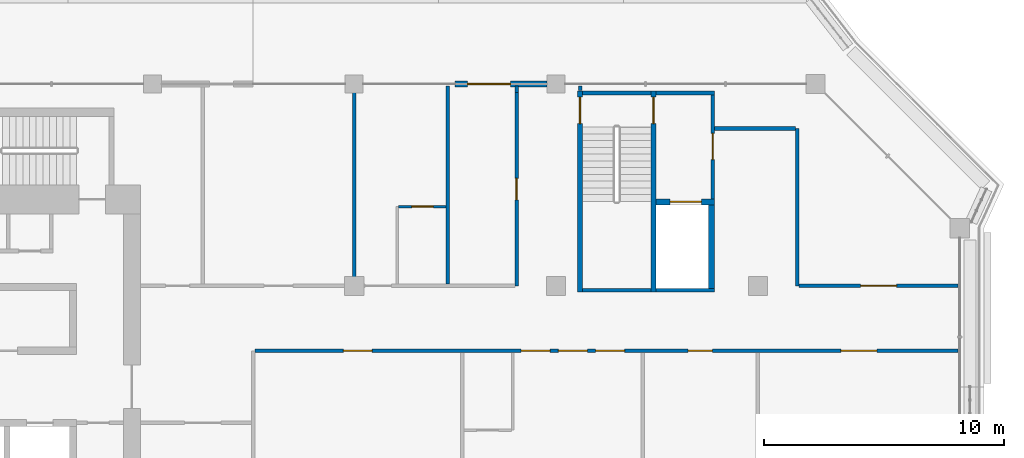
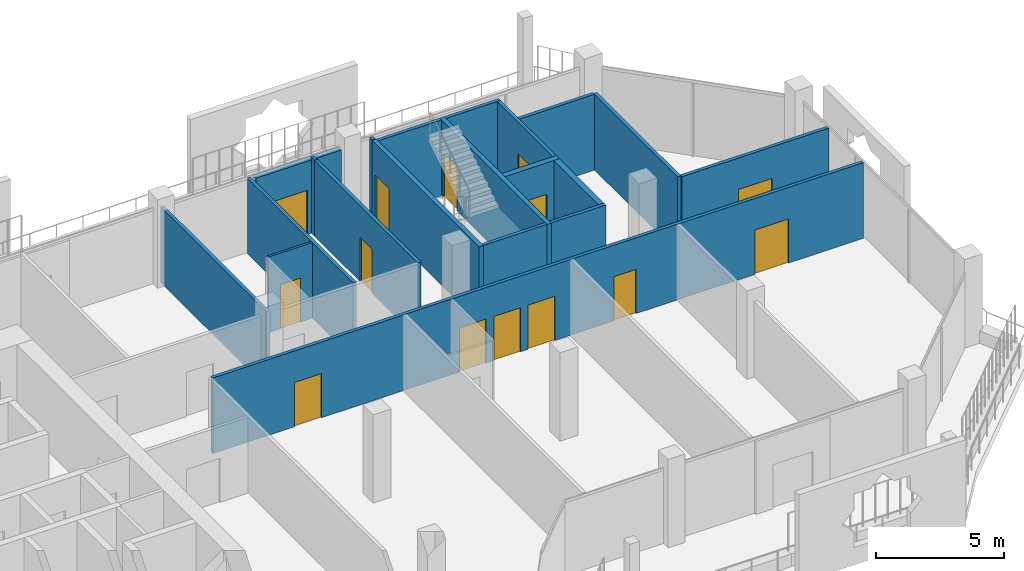
# One storey, part 13 of 21: 20 walls, 14 doors, 14 openings.
"""IFC4 building model written with IfcOpenShell, lengths in metres."""

from ifc_helpers import new_model, si_unit, direction, frame, frame_2d, origin, place, context, subcontext, project, spatial, rectangle, extrude, material, layer, layer_set, type_object, element, fill, save


model = new_model("IFC4")

# Units and contexts
model_context = context("Model", 3, precision=1e-05, world=origin(), true_north=direction((0.0, 1.0)))
body_context = subcontext(model_context, "Body", "Model", "MODEL_VIEW")
ifc_project = project(units=[si_unit("LENGTHUNIT", "METRE"), si_unit("AREAUNIT", "SQUARE_METRE"), si_unit("VOLUMEUNIT", "CUBIC_METRE"), si_unit("PLANEANGLEUNIT", "RADIAN"), si_unit("MASSUNIT", "GRAM", prefix="KILO")], contexts=[model_context])

# Site, building, storey
site_placement = place(None, origin())
site = spatial("IfcSite", under=ifc_project, at=site_placement, CompositionType="ELEMENT")
building_placement = place(site_placement, origin())
building = spatial("IfcBuilding", under=site, at=building_placement, Name="Kawkab Arch Medical Tower", CompositionType="ELEMENT")
storey_placement = place(building_placement, frame((0.0, 0.0, 323.800048828125)))
storey = spatial("IfcBuildingStorey", under=building, at=storey_placement, Name="L75", CompositionType="ELEMENT", Elevation=323.800048828125)

# Wall, opening, door
ifc_material_1 = material(Name="Gypsum board on steel studs", Category="steel")
ifc_layer_1 = layer(ifc_material_1, 0.14990234375)
ifc_layer_set_1 = layer_set([ifc_layer_1], Name="Gypsum board on steel studs")
wall_type_1 = type_object("IfcWallType", Name="Core room partition 150", PredefinedType="PARTITIONING", material=ifc_layer_set_1)
wall_1_placement = place(storey_placement, frame((48.52490234375, -4.77490234375, 0.0), z_axis=(0.0, 0.0, 1.0), x_axis=(0.0, 1.0, 0.0)))
wall_1 = element("IfcWall", 1, at=wall_1_placement, inside=storey, type_object=wall_type_1, Name="L75 core room partition", PredefinedType="PARTITIONING", context=body_context, shape_type="SweptSolid", body=[
    extrude(rectangle(XDim=4.324951171875, YDim=0.14990234375, at=frame_2d((2.16259765625, 0.0))), origin(), (0.0, 0.0, 1.0), 3.599853515625),
])
opening_1_placement = place(wall_1_placement, frame((1.625, 0.0, 0.0)))
opening_1 = element("IfcOpeningElement", 2, at=opening_1_placement, cuts=wall_1, Name="Opening FD", PredefinedType="OPENING", context=body_context, shape_type="SweptSolid", body=[
    extrude(rectangle(XDim=1.10009765625, YDim=2.10009765625, at=frame_2d((0.550048828125, 1.050048828125))), frame((0.0, 0.0849609375, 0.0), z_axis=(0.0, -1.0, 0.0), x_axis=(1.0, 0.0, 0.0)), (0.0, 0.0, 1.0), 0.169921875),
])
ifc_material_2 = material(Name="Hollow metal fire door leaf")
door_type_1 = type_object("IfcDoorType", Name="Firefighting lobby door 1100", OperationType="SINGLE_SWING_LEFT", PredefinedType="DOOR", material=ifc_material_2)
door_1_placement = place(opening_1_placement, origin())
door_1 = element("IfcDoor", 3, at=door_1_placement, inside=storey, type_object=door_type_1, Name="L75 Service lift lobby door SV1", OperationType="SINGLE_SWING_LEFT", OverallHeight=2.10009765625, OverallWidth=1.10009765625, PredefinedType="DOOR", context=body_context, shape_type="SweptSolid", body=[
    extrude(rectangle(XDim=1.10009765625, YDim=2.10009765625, at=frame_2d((0.550048828125, 1.050048828125))), frame((0.0, 0.02490234375, 0.0), z_axis=(0.0, -1.0, 0.0), x_axis=(1.0, 0.0, 0.0)), (0.0, 0.0, 1.0), 0.050048828125),
])
fill(opening_1, door_1)

ifc_material_3 = material(Name="Concrete C60/75", Category="concrete")
ifc_layer_2 = layer(ifc_material_3, 0.25)
ifc_layer_set_2 = layer_set([ifc_layer_2], Name="Concrete C60/75")
wall_type_2 = type_object("IfcWallType", Name="Core shear wall 250 C60/75", PredefinedType="SHEAR", material=ifc_layer_set_2)
wall_2_placement = place(storey_placement, frame((46.14990234375, -4.89990234375, 0.0), z_axis=(0.0, 0.0, 1.0), x_axis=(1.0, 0.0, 0.0)))
wall_2 = element("IfcWall", 4, at=wall_2_placement, inside=storey, type_object=wall_type_2, Name="L75 core shear wall", PredefinedType="SHEAR", context=body_context, shape_type="SweptSolid", body=[
    extrude(rectangle(XDim=2.4501953125, YDim=0.25, at=frame_2d((1.22509765625, 0.0))), origin(), (0.0, 0.0, 1.0), 3.599853515625),
])
opening_2_placement = place(wall_2_placement, frame((0.60009765625, 0.0, 0.0)))
opening_2 = element("IfcOpeningElement", 5, at=opening_2_placement, cuts=wall_2, Name="Opening LD2", PredefinedType="OPENING", context=body_context, shape_type="SweptSolid", body=[
    extrude(rectangle(XDim=1.300048828125, YDim=2.10009765625, at=frame_2d((0.64990234375, 1.050048828125))), frame((0.0, 0.135009765625, 0.0), z_axis=(0.0, -1.0, 0.0), x_axis=(1.0, 0.0, 0.0)), (0.0, 0.0, 1.0), 0.27001953125),
])
ifc_material_4 = material(Name="Stainless steel lift door leaf", Category="steel")
door_type_2 = type_object("IfcDoorType", Name="Lift landing door 1300", OperationType="DOUBLE_DOOR_SLIDING", PredefinedType="DOOR", material=ifc_material_4)
door_2_placement = place(opening_2_placement, origin())
door_2 = element("IfcDoor", 6, at=door_2_placement, inside=storey, type_object=door_type_2, Name="L75 Lift landing door SV1", OperationType="DOUBLE_DOOR_SLIDING", OverallHeight=2.10009765625, OverallWidth=1.300048828125, PredefinedType="DOOR", context=body_context, shape_type="SweptSolid", body=[
    extrude(rectangle(XDim=1.300048828125, YDim=2.10009765625, at=frame_2d((0.64990234375, 1.050048828125))), frame((0.0, 0.02490234375, 0.0), z_axis=(0.0, -1.0, 0.0), x_axis=(1.0, 0.0, 0.0)), (0.0, 0.0, 1.0), 0.050048828125),
])
fill(opening_2, door_2)

# Wall
wall_3_placement = place(storey_placement, frame((48.47509765625, -8.5, 0.0), z_axis=(0.0, 0.0, 1.0), x_axis=(0.0, 1.0, 0.0)))
element("IfcWall", 7, at=wall_3_placement, inside=storey, type_object=wall_type_2, Name="L75 core shear wall", PredefinedType="SHEAR", context=body_context, shape_type="SweptSolid", body=[
    extrude(rectangle(XDim=3.47509765625, YDim=0.25, at=frame_2d((1.737548828125, 0.0))), origin(), (0.0, 0.0, 1.0), 3.599853515625),
])

# Wall, opening, door
ifc_material_5 = material(Name="Bronze clad insulated wall panel")
ifc_layer_3 = layer(ifc_material_5, 0.25)
ifc_layer_set_3 = layer_set([ifc_layer_3], Name="Bronze clad insulated wall panel")
wall_type_3 = type_object("IfcWallType", Name="External wall bay 250", PredefinedType="SOLIDWALL", material=ifc_layer_set_3)
wall_4_placement = place(storey_placement, frame((41.625, 0.0, 0.0), z_axis=(0.0, 0.0, 1.0), x_axis=(-1.0, 0.0, 0.0)))
wall_4 = element("IfcWall", 8, at=wall_4_placement, inside=storey, type_object=wall_type_3, Name="External wall bay L75.R15.2.1", PredefinedType="SOLIDWALL", context=body_context, shape_type="SweptSolid", body=[
    extrude(rectangle(XDim=3.824951171875, YDim=0.25, at=frame_2d((1.91259765625, 0.0))), origin(), (0.0, 0.0, 1.0), 3.47998046875),
])
opening_3_placement = place(wall_4_placement, frame((1.512451171875, 0.0, 0.0)))
opening_3 = element("IfcOpeningElement", 9, at=opening_3_placement, cuts=wall_4, Name="Opening W70-701", PredefinedType="OPENING", context=body_context, shape_type="SweptSolid", body=[
    extrude(rectangle(XDim=1.800048828125, YDim=2.10009765625, at=frame_2d((0.89990234375, 1.050048828125))), frame((0.0, 0.135009765625, 0.0), z_axis=(0.0, -1.0, 0.0), x_axis=(1.0, 0.0, 0.0)), (0.0, 0.0, 1.0), 0.27001953125),
])
ifc_material_6 = material(Name="Bronze anodised aluminium door with tinted glass", Category="aluminium")
door_type_3 = type_object("IfcDoorType", Name="Double external door 1800 x 2100", OperationType="DOUBLE_DOOR_SINGLE_SWING", PredefinedType="DOOR", material=ifc_material_6)
door_3_placement = place(opening_3_placement, origin())
door_3 = element("IfcDoor", 10, at=door_3_placement, inside=storey, type_object=door_type_3, Name="External door L75.R15.2.1", OperationType="DOUBLE_DOOR_SINGLE_SWING", OverallHeight=2.10009765625, OverallWidth=1.800048828125, PredefinedType="DOOR", context=body_context, shape_type="SweptSolid", body=[
    extrude(rectangle(XDim=1.800048828125, YDim=2.10009765625, at=frame_2d((0.89990234375, 1.050048828125))), frame((0.0, 0.02490234375, 0.0), z_axis=(0.0, -1.0, 0.0), x_axis=(1.0, 0.0, 0.0)), (0.0, 0.0, 1.0), 0.050048828125),
])
fill(opening_3, door_3)

ifc_material_7 = material(Name="Gypsum board partition on steel studs", Category="steel")
ifc_layer_4 = layer(ifc_material_7, 0.10009765625)
ifc_layer_set_4 = layer_set([ifc_layer_4], Name="Gypsum board partition on steel studs")
wall_type_4 = type_object("IfcWallType", Name="Partition 100", PredefinedType="PARTITIONING", material=ifc_layer_set_4)
wall_5_placement = place(storey_placement, frame((35.449951171875, -5.10009765625, 0.0), z_axis=(0.0, 0.0, 1.0), x_axis=(1.0, 0.0, 0.0)))
wall_5 = element("IfcWall", 11, at=wall_5_placement, inside=storey, type_object=wall_type_4, Name="Partition 100 w002", PredefinedType="PARTITIONING", context=body_context, shape_type="SweptSolid", body=[
    extrude(rectangle(XDim=1.97509765625, YDim=0.10009765625, at=frame_2d((0.987548828125, 0.0))), origin(), (0.0, 0.0, 1.0), 3.599853515625),
])
opening_4_placement = place(wall_5_placement, frame((0.550048828125, 0.0, 0.0)))
opening_4 = element("IfcOpeningElement", 12, at=opening_4_placement, cuts=wall_5, Name="Opening W70-004", PredefinedType="OPENING", context=body_context, shape_type="SweptSolid", body=[
    extrude(rectangle(XDim=0.89990234375, YDim=2.10009765625, at=frame_2d((0.449951171875, 1.050048828125))), frame((0.0, 0.06005859375, 0.0), z_axis=(0.0, -1.0, 0.0), x_axis=(1.0, 0.0, 0.0)), (0.0, 0.0, 1.0), 0.1201171875),
])
ifc_material_8 = material(Name="Timber door leaf", Category="wood")
door_type_4 = type_object("IfcDoorType", Name="Single door 900x2100", OperationType="NOTDEFINED", PredefinedType="DOOR", material=ifc_material_8)
door_4_placement = place(opening_4_placement, origin())
door_4 = element("IfcDoor", 13, at=door_4_placement, inside=storey, type_object=door_type_4, Name="Door W70-004", OperationType="SINGLE_SWING_LEFT", OverallHeight=2.10009765625, OverallWidth=0.89990234375, PredefinedType="DOOR", context=body_context, shape_type="SweptSolid", body=[
    extrude(rectangle(XDim=0.89990234375, YDim=2.10009765625, at=frame_2d((0.449951171875, 1.050048828125))), frame((0.0, 0.02490234375, 0.0), z_axis=(0.0, -1.0, 0.0), x_axis=(1.0, 0.0, 0.0)), (0.0, 0.0, 1.0), 0.050048828125),
])
fill(opening_4, door_4)

# Wall, openings, doors
ifc_material_9 = material(Name="Gypsum board partition on steel studs, mineral wool", Category="steel")
ifc_layer_5 = layer(ifc_material_9, 0.14990234375)
ifc_layer_set_5 = layer_set([ifc_layer_5], Name="Gypsum board partition on steel studs, mineral wool")
wall_type_5 = type_object("IfcWallType", Name="Partition 150", PredefinedType="PARTITIONING", material=ifc_layer_set_5)
wall_6_placement = place(storey_placement, frame((29.47509765625, -11.10009765625, 0.0), z_axis=(0.0, 0.0, 1.0), x_axis=(1.0, 0.0, 0.0)))
wall_6 = element("IfcWall", 14, at=wall_6_placement, inside=storey, type_object=wall_type_5, Name="Partition 150 w010", PredefinedType="PARTITIONING", context=body_context, shape_type="SweptSolid", body=[
    extrude(rectangle(XDim=29.244873046875, YDim=0.14990234375, at=frame_2d((14.62255859375, 0.0))), origin(), (0.0, 0.0, 1.0), 3.599853515625),
])
opening_5_placement = place(wall_6_placement, frame((3.675048828125, 0.0, 0.0)))
opening_5 = element("IfcOpeningElement", 15, at=opening_5_placement, cuts=wall_6, Name="Opening W70-011", PredefinedType="OPENING", context=body_context, shape_type="SweptSolid", body=[
    extrude(rectangle(XDim=1.199951171875, YDim=2.10009765625, at=frame_2d((0.60009765625, 1.050048828125))), frame((0.0, 0.0849609375, 0.0), z_axis=(0.0, -1.0, 0.0), x_axis=(1.0, 0.0, 0.0)), (0.0, 0.0, 1.0), 0.169921875),
])
opening_6_placement = place(wall_6_placement, frame((14.175048828125, 0.0, 0.0)))
opening_6 = element("IfcOpeningElement", 16, at=opening_6_placement, cuts=wall_6, Name="Opening W70-012", PredefinedType="OPENING", context=body_context, shape_type="SweptSolid", body=[
    extrude(rectangle(XDim=1.199951171875, YDim=2.10009765625, at=frame_2d((0.60009765625, 1.050048828125))), frame((0.0, 0.0849609375, 0.0), z_axis=(0.0, -1.0, 0.0), x_axis=(1.0, 0.0, 0.0)), (0.0, 0.0, 1.0), 0.169921875),
])
opening_7_placement = place(wall_6_placement, frame((12.625, 0.0, 0.0)))
opening_7 = element("IfcOpeningElement", 17, at=opening_7_placement, cuts=wall_6, Name="Opening W70-013", PredefinedType="OPENING", context=body_context, shape_type="SweptSolid", body=[
    extrude(rectangle(XDim=1.199951171875, YDim=2.10009765625, at=frame_2d((0.60009765625, 1.050048828125))), frame((0.0, 0.0849609375, 0.0), z_axis=(0.0, -1.0, 0.0), x_axis=(1.0, 0.0, 0.0)), (0.0, 0.0, 1.0), 0.169921875),
])
opening_8_placement = place(wall_6_placement, frame((11.074951171875, 0.0, 0.0)))
opening_8 = element("IfcOpeningElement", 18, at=opening_8_placement, cuts=wall_6, Name="Opening W70-014", PredefinedType="OPENING", context=body_context, shape_type="SweptSolid", body=[
    extrude(rectangle(XDim=1.199951171875, YDim=2.10009765625, at=frame_2d((0.60009765625, 1.050048828125))), frame((0.0, 0.0849609375, 0.0), z_axis=(0.0, -1.0, 0.0), x_axis=(1.0, 0.0, 0.0)), (0.0, 0.0, 1.0), 0.169921875),
])
opening_9_placement = place(wall_6_placement, frame((18.02490234375, 0.0, 0.0)))
opening_9 = element("IfcOpeningElement", 19, at=opening_9_placement, cuts=wall_6, Name="Opening W70-008", PredefinedType="OPENING", context=body_context, shape_type="SweptSolid", body=[
    extrude(rectangle(XDim=1.0, YDim=2.10009765625, at=frame_2d((0.5, 1.050048828125))), frame((0.0, 0.0849609375, 0.0), z_axis=(0.0, -1.0, 0.0), x_axis=(1.0, 0.0, 0.0)), (0.0, 0.0, 1.0), 0.169921875),
])
opening_10_placement = place(wall_6_placement, frame((24.375, 0.0, 0.0)))
opening_10 = element("IfcOpeningElement", 20, at=opening_10_placement, cuts=wall_6, Name="Opening W70-003", PredefinedType="OPENING", context=body_context, shape_type="SweptSolid", body=[
    extrude(rectangle(XDim=1.5, YDim=2.10009765625, at=frame_2d((0.75, 1.050048828125))), frame((0.0, 0.0849609375, 0.0), z_axis=(0.0, -1.0, 0.0), x_axis=(1.0, 0.0, 0.0)), (0.0, 0.0, 1.0), 0.169921875),
])
ifc_material_10 = material(Name="Hollow metal door leaf")
door_type_5 = type_object("IfcDoorType", Name="Double door 1500x2100 FD30S", OperationType="NOTDEFINED", PredefinedType="DOOR", material=ifc_material_10)
door_5_placement = place(opening_10_placement, origin())
door_5 = element("IfcDoor", 21, at=door_5_placement, inside=storey, type_object=door_type_5, Name="Door W70-003", OperationType="DOUBLE_DOOR_SINGLE_SWING", OverallHeight=2.10009765625, OverallWidth=1.5, PredefinedType="DOOR", context=body_context, shape_type="SweptSolid", body=[
    extrude(rectangle(XDim=1.5, YDim=2.10009765625, at=frame_2d((0.75, 1.050048828125))), frame((0.0, 0.02490234375, 0.0), z_axis=(0.0, -1.0, 0.0), x_axis=(1.0, 0.0, 0.0)), (0.0, 0.0, 1.0), 0.050048828125),
])
fill(opening_10, door_5)
ifc_material_11 = material(Name="Hollow metal door leaf")
door_type_6 = type_object("IfcDoorType", Name="Single door 1000x2100 FD30S", OperationType="NOTDEFINED", PredefinedType="DOOR", material=ifc_material_11)
door_6_placement = place(opening_9_placement, origin())
door_6 = element("IfcDoor", 22, at=door_6_placement, inside=storey, type_object=door_type_6, Name="Door W70-008", OperationType="SINGLE_SWING_LEFT", OverallHeight=2.10009765625, OverallWidth=1.0, PredefinedType="DOOR", context=body_context, shape_type="SweptSolid", body=[
    extrude(rectangle(XDim=1.0, YDim=2.10009765625, at=frame_2d((0.5, 1.050048828125))), frame((0.0, 0.02490234375, 0.0), z_axis=(0.0, -1.0, 0.0), x_axis=(1.0, 0.0, 0.0)), (0.0, 0.0, 1.0), 0.050048828125),
])
fill(opening_9, door_6)
ifc_material_12 = material(Name="Hollow metal door leaf")
door_type_7 = type_object("IfcDoorType", Name="Single door 1200x2100 FD30S", OperationType="NOTDEFINED", PredefinedType="DOOR", material=ifc_material_12)
door_7_placement = place(opening_5_placement, origin())
door_7 = element("IfcDoor", 23, at=door_7_placement, inside=storey, type_object=door_type_7, Name="Door W70-011", OperationType="SINGLE_SWING_RIGHT", OverallHeight=2.10009765625, OverallWidth=1.199951171875, PredefinedType="DOOR", context=body_context, shape_type="SweptSolid", body=[
    extrude(rectangle(XDim=1.199951171875, YDim=2.10009765625, at=frame_2d((0.60009765625, 1.050048828125))), frame((0.0, 0.02490234375, 0.0), z_axis=(0.0, -1.0, 0.0), x_axis=(1.0, 0.0, 0.0)), (0.0, 0.0, 1.0), 0.050048828125),
])
fill(opening_5, door_7)
door_8_placement = place(opening_6_placement, origin())
door_8 = element("IfcDoor", 24, at=door_8_placement, inside=storey, type_object=door_type_7, Name="Door W70-012", OperationType="SINGLE_SWING_LEFT", OverallHeight=2.10009765625, OverallWidth=1.199951171875, PredefinedType="DOOR", context=body_context, shape_type="SweptSolid", body=[
    extrude(rectangle(XDim=1.199951171875, YDim=2.10009765625, at=frame_2d((0.60009765625, 1.050048828125))), frame((0.0, 0.02490234375, 0.0), z_axis=(0.0, -1.0, 0.0), x_axis=(1.0, 0.0, 0.0)), (0.0, 0.0, 1.0), 0.050048828125),
])
fill(opening_6, door_8)
door_9_placement = place(opening_7_placement, origin())
door_9 = element("IfcDoor", 25, at=door_9_placement, inside=storey, type_object=door_type_7, Name="Door W70-013", OperationType="SINGLE_SWING_RIGHT", OverallHeight=2.10009765625, OverallWidth=1.199951171875, PredefinedType="DOOR", context=body_context, shape_type="SweptSolid", body=[
    extrude(rectangle(XDim=1.199951171875, YDim=2.10009765625, at=frame_2d((0.60009765625, 1.050048828125))), frame((0.0, 0.02490234375, 0.0), z_axis=(0.0, -1.0, 0.0), x_axis=(1.0, 0.0, 0.0)), (0.0, 0.0, 1.0), 0.050048828125),
])
fill(opening_7, door_9)
door_10_placement = place(opening_8_placement, origin())
door_10 = element("IfcDoor", 26, at=door_10_placement, inside=storey, type_object=door_type_7, Name="Door W70-014", OperationType="SINGLE_SWING_RIGHT", OverallHeight=2.10009765625, OverallWidth=1.199951171875, PredefinedType="DOOR", context=body_context, shape_type="SweptSolid", body=[
    extrude(rectangle(XDim=1.199951171875, YDim=2.10009765625, at=frame_2d((0.60009765625, 1.050048828125))), frame((0.0, 0.02490234375, 0.0), z_axis=(0.0, -1.0, 0.0), x_axis=(1.0, 0.0, 0.0)), (0.0, 0.0, 1.0), 0.050048828125),
])
fill(opening_8, door_10)

# Wall, opening, door
wall_7_placement = place(storey_placement, frame((52.117919921875, -8.39990234375, 0.0), z_axis=(0.0, 0.0, 1.0), x_axis=(1.0, 0.0, 0.0)))
wall_7 = element("IfcWall", 27, at=wall_7_placement, inside=storey, type_object=wall_type_5, Name="Partition 150 w012", PredefinedType="PARTITIONING", context=body_context, shape_type="SweptSolid", body=[
    extrude(rectangle(XDim=6.60205078125, YDim=0.14990234375, at=frame_2d((3.301025390625, 0.0))), origin(), (0.0, 0.0, 1.0), 3.599853515625),
])
opening_11_placement = place(wall_7_placement, frame((2.552978515625, 0.0, 0.0)))
opening_11 = element("IfcOpeningElement", 28, at=opening_11_placement, cuts=wall_7, Name="Opening W70-002", PredefinedType="OPENING", context=body_context, shape_type="SweptSolid", body=[
    extrude(rectangle(XDim=1.5, YDim=2.10009765625, at=frame_2d((0.75, 1.050048828125))), frame((0.0, 0.0849609375, 0.0), z_axis=(0.0, -1.0, 0.0), x_axis=(1.0, 0.0, 0.0)), (0.0, 0.0, 1.0), 0.169921875),
])
door_11_placement = place(opening_11_placement, origin())
door_11 = element("IfcDoor", 29, at=door_11_placement, inside=storey, type_object=door_type_5, Name="Door W70-002", OperationType="DOUBLE_DOOR_SINGLE_SWING", OverallHeight=2.10009765625, OverallWidth=1.5, PredefinedType="DOOR", context=body_context, shape_type="SweptSolid", body=[
    extrude(rectangle(XDim=1.5, YDim=2.10009765625, at=frame_2d((0.75, 1.050048828125))), frame((0.0, 0.02490234375, 0.0), z_axis=(0.0, -1.0, 0.0), x_axis=(1.0, 0.0, 0.0)), (0.0, 0.0, 1.0), 0.050048828125),
])
fill(opening_11, door_11)

# Walls
wall_8_placement = place(storey_placement, frame((48.60009765625, -1.85009765625, 0.0), z_axis=(0.0, 0.0, 1.0), x_axis=(1.0, 0.0, 0.0)))
element("IfcWall", 30, at=wall_8_placement, inside=storey, type_object=wall_type_5, Name="Partition 150 w013", PredefinedType="PARTITIONING", context=body_context, shape_type="SweptSolid", body=[
    extrude(rectangle(XDim=3.365966796875, YDim=0.14990234375, at=frame_2d((1.68310546875, 0.0))), origin(), (0.0, 0.0, 1.0), 3.599853515625),
])
for number, where, z_axis, x_axis, name in (
    (31, (33.60009765625, -8.324951171875, 0.0), (0.0, 0.0, 1.0), (0.0, 1.0, 0.0), "Partition 150 w020"),
    (32, (37.5, -8.324951171875, 0.0), (0.0, 0.0, 1.0), (0.0, 1.0, 0.0), "Partition 150 w021"),
):
    element("IfcWall", number, at=place(storey_placement, frame(where, z_axis=z_axis, x_axis=x_axis)), inside=storey, type_object=wall_type_5, Name=name, PredefinedType="PARTITIONING", context=body_context, shape_type="SweptSolid", body=[
        extrude(rectangle(XDim=8.244873046875, YDim=0.14990234375, at=frame_2d((4.12255859375, 0.0))), origin(), (0.0, 0.0, 1.0), 3.599853515625),
    ])

# Wall, opening, door
wall_9_placement = place(storey_placement, frame((40.35693359375, -8.39990234375, 0.0), z_axis=(0.0, 0.0, 1.0), x_axis=(0.0, 1.0, 0.0)))
wall_9 = element("IfcWall", 33, at=wall_9_placement, inside=storey, type_object=wall_type_5, Name="Partition 150 w023", PredefinedType="PARTITIONING", context=body_context, shape_type="SweptSolid", body=[
    extrude(rectangle(XDim=8.0478515625, YDim=0.14990234375, at=frame_2d((4.02392578125, 0.0))), origin(), (0.0, 0.0, 1.0), 3.599853515625),
])
opening_12_placement = place(wall_9_placement, frame((3.573974609375, 0.0, 0.0)))
opening_12 = element("IfcOpeningElement", 34, at=opening_12_placement, cuts=wall_9, Name="Opening W70-006", PredefinedType="OPENING", context=body_context, shape_type="SweptSolid", body=[
    extrude(rectangle(XDim=0.89990234375, YDim=2.10009765625, at=frame_2d((0.449951171875, 1.050048828125))), frame((0.0, 0.0849609375, 0.0), z_axis=(0.0, -1.0, 0.0), x_axis=(1.0, 0.0, 0.0)), (0.0, 0.0, 1.0), 0.169921875),
])
door_12_placement = place(opening_12_placement, origin())
door_12 = element("IfcDoor", 35, at=door_12_placement, inside=storey, type_object=door_type_4, Name="Door W70-006", OperationType="SINGLE_SWING_LEFT", OverallHeight=2.10009765625, OverallWidth=0.89990234375, PredefinedType="DOOR", context=body_context, shape_type="SweptSolid", body=[
    extrude(rectangle(XDim=0.89990234375, YDim=2.10009765625, at=frame_2d((0.449951171875, 1.050048828125))), frame((0.0, 0.02490234375, 0.0), z_axis=(0.0, -1.0, 0.0), x_axis=(1.0, 0.0, 0.0)), (0.0, 0.0, 1.0), 0.050048828125),
])
fill(opening_12, door_12)

# Walls
wall_10_placement = place(storey_placement, frame((40.35693359375, -0.35009765625, 0.0), z_axis=(0.0, 0.0, 1.0), x_axis=(0.0, 1.0, 0.0)))
element("IfcWall", 36, at=wall_10_placement, inside=storey, type_object=wall_type_5, Name="Partition 150 w024", PredefinedType="PARTITIONING", context=body_context, shape_type="SweptSolid", body=[
    extrude(rectangle(XDim=0.27001953125, YDim=0.14990234375, at=frame_2d((0.135009765625, 0.0))), origin(), (0.0, 0.0, 1.0), 3.599853515625),
])
wall_11_placement = place(storey_placement, frame((43.0, -0.27001953125, 0.0), z_axis=(0.0, 0.0, 1.0), x_axis=(0.0, 1.0, 0.0)))
element("IfcWall", 37, at=wall_11_placement, inside=storey, type_object=wall_type_5, Name="Partition 150 w025", PredefinedType="PARTITIONING", context=body_context, shape_type="SweptSolid", body=[
    extrude(rectangle(XDim=0.18994140625, YDim=0.14990234375, at=frame_2d((0.094970703125, 0.0))), origin(), (0.0, 0.0, 1.0), 3.599853515625),
])
wall_12_placement = place(storey_placement, frame((52.04296875, -8.39990234375, 0.0), z_axis=(0.0, 0.0, 1.0), x_axis=(0.0, 1.0, 0.0)))
element("IfcWall", 38, at=wall_12_placement, inside=storey, type_object=wall_type_5, Name="Partition 150 w028", PredefinedType="PARTITIONING", context=body_context, shape_type="SweptSolid", body=[
    extrude(rectangle(XDim=6.5478515625, YDim=0.14990234375, at=frame_2d((3.27392578125, 0.0))), origin(), (0.0, 0.0, 1.0), 3.599853515625),
])
ifc_material_13 = material(Name="Concrete C50/60", Category="concrete")
ifc_layer_6 = layer(ifc_material_13, 0.14990234375)
ifc_layer_set_6 = layer_set([ifc_layer_6], Name="Concrete C50/60")
wall_type_6 = type_object("IfcWallType", Name="Stair enclosure wall 150 C50/60", PredefinedType="SHEAR", material=ifc_layer_set_6)
wall_13_placement = place(storey_placement, frame((43.10009765625, -0.375, 0.0), z_axis=(0.0, 0.0, 1.0), x_axis=(1.0, 0.0, 0.0)))
element("IfcWall", 39, at=wall_13_placement, inside=storey, type_object=wall_type_6, Name="L75 stair enclosure wall", PredefinedType="SHEAR", context=body_context, shape_type="SweptSolid", body=[
    extrude(rectangle(XDim=2.849853515625, YDim=0.14990234375, at=frame_2d((1.4248046875, 0.0))), origin(), (0.0, 0.0, 1.0), 3.599853515625),
])
wall_14_placement = place(storey_placement, frame((46.14990234375, -0.375, 0.0), z_axis=(0.0, 0.0, 1.0), x_axis=(1.0, 0.0, 0.0)))
element("IfcWall", 40, at=wall_14_placement, inside=storey, type_object=wall_type_6, Name="L75 stair enclosure wall", PredefinedType="SHEAR", context=body_context, shape_type="SweptSolid", body=[
    extrude(rectangle(XDim=2.4501953125, YDim=0.14990234375, at=frame_2d((1.22509765625, 0.0))), origin(), (0.0, 0.0, 1.0), 3.599853515625),
])
wall_15_placement = place(storey_placement, frame((43.10009765625, -8.574951171875, 0.0), z_axis=(0.0, 0.0, 1.0), x_axis=(1.0, 0.0, 0.0)))
element("IfcWall", 41, at=wall_15_placement, inside=storey, type_object=wall_type_6, Name="L75 stair enclosure wall", PredefinedType="SHEAR", context=body_context, shape_type="SweptSolid", body=[
    extrude(rectangle(XDim=2.849853515625, YDim=0.14990234375, at=frame_2d((1.4248046875, 0.0))), origin(), (0.0, 0.0, 1.0), 3.599853515625),
])
wall_16_placement = place(storey_placement, frame((46.14990234375, -8.574951171875, 0.0), z_axis=(0.0, 0.0, 1.0), x_axis=(1.0, 0.0, 0.0)))
element("IfcWall", 42, at=wall_16_placement, inside=storey, type_object=wall_type_6, Name="L75 stair enclosure wall", PredefinedType="SHEAR", context=body_context, shape_type="SweptSolid", body=[
    extrude(rectangle(XDim=2.4501953125, YDim=0.14990234375, at=frame_2d((1.22509765625, 0.0))), origin(), (0.0, 0.0, 1.0), 3.599853515625),
])

# Wall, opening, door
ifc_material_14 = material(Name="Concrete C50/60", Category="concrete")
ifc_layer_7 = layer(ifc_material_14, 0.199951171875)
ifc_layer_set_7 = layer_set([ifc_layer_7], Name="Concrete C50/60")
wall_type_7 = type_object("IfcWallType", Name="Stair enclosure wall 200 C50/60", PredefinedType="SHEAR", material=ifc_layer_set_7)
wall_17_placement = place(storey_placement, frame((43.0, -8.64990234375, 0.0), z_axis=(0.0, 0.0, 1.0), x_axis=(0.0, 1.0, 0.0)))
wall_17 = element("IfcWall", 43, at=wall_17_placement, inside=storey, type_object=wall_type_7, Name="L75 stair enclosure wall", PredefinedType="SHEAR", context=body_context, shape_type="SweptSolid", body=[
    extrude(rectangle(XDim=8.349853515625, YDim=0.199951171875, at=frame_2d((4.1748046875, 0.0))), origin(), (0.0, 0.0, 1.0), 3.599853515625),
])
opening_13_placement = place(wall_17_placement, frame((7.0, 0.0, 0.0)))
opening_13 = element("IfcOpeningElement", 44, at=opening_13_placement, cuts=wall_17, Name="Opening SD", PredefinedType="OPENING", context=body_context, shape_type="SweptSolid", body=[
    extrude(rectangle(XDim=1.10009765625, YDim=2.10009765625, at=frame_2d((0.550048828125, 1.050048828125))), frame((0.0, 0.10986328125, 0.0), z_axis=(0.0, -1.0, 0.0), x_axis=(1.0, 0.0, 0.0)), (0.0, 0.0, 1.0), 0.219970703125),
])
ifc_material_15 = material(Name="Hollow metal fire door leaf")
door_type_8 = type_object("IfcDoorType", Name="Exit stair door 1100", OperationType="SINGLE_SWING_LEFT", PredefinedType="DOOR", material=ifc_material_15)
door_13_placement = place(opening_13_placement, frame((1.10009765625, 0.0, 0.0), z_axis=(0.0, 0.0, 1.0), x_axis=(-1.0, 0.0, 0.0)))
door_13 = element("IfcDoor", 45, at=door_13_placement, inside=storey, type_object=door_type_8, Name="L75 Exit stair ST5 door", OperationType="SINGLE_SWING_LEFT", OverallHeight=2.10009765625, OverallWidth=1.10009765625, PredefinedType="DOOR", context=body_context, shape_type="SweptSolid", body=[
    extrude(rectangle(XDim=1.10009765625, YDim=2.10009765625, at=frame_2d((0.550048828125, 1.050048828125))), frame((0.0, 0.02490234375, 0.0), z_axis=(0.0, -1.0, 0.0), x_axis=(1.0, 0.0, 0.0)), (0.0, 0.0, 1.0), 0.050048828125),
])
fill(opening_13, door_13)

wall_18_placement = place(storey_placement, frame((46.050048828125, -8.64990234375, 0.0), z_axis=(0.0, 0.0, 1.0), x_axis=(0.0, 1.0, 0.0)))
wall_18 = element("IfcWall", 46, at=wall_18_placement, inside=storey, type_object=wall_type_7, Name="L75 stair enclosure wall", PredefinedType="SHEAR", context=body_context, shape_type="SweptSolid", body=[
    extrude(rectangle(XDim=8.349853515625, YDim=0.199951171875, at=frame_2d((4.1748046875, 0.0))), origin(), (0.0, 0.0, 1.0), 3.599853515625),
])
opening_14_placement = place(wall_18_placement, frame((7.0, 0.0, 0.0)))
opening_14 = element("IfcOpeningElement", 47, at=opening_14_placement, cuts=wall_18, Name="Opening SD", PredefinedType="OPENING", context=body_context, shape_type="SweptSolid", body=[
    extrude(rectangle(XDim=1.10009765625, YDim=2.10009765625, at=frame_2d((0.550048828125, 1.050048828125))), frame((0.0, 0.10986328125, 0.0), z_axis=(0.0, -1.0, 0.0), x_axis=(1.0, 0.0, 0.0)), (0.0, 0.0, 1.0), 0.219970703125),
])
door_14_placement = place(opening_14_placement, origin())
door_14 = element("IfcDoor", 48, at=door_14_placement, inside=storey, type_object=door_type_8, Name="L75 Exit stair ST5 lobby door", OperationType="SINGLE_SWING_LEFT", OverallHeight=2.10009765625, OverallWidth=1.10009765625, PredefinedType="DOOR", context=body_context, shape_type="SweptSolid", body=[
    extrude(rectangle(XDim=1.10009765625, YDim=2.10009765625, at=frame_2d((0.550048828125, 1.050048828125))), frame((0.0, 0.02490234375, 0.0), z_axis=(0.0, -1.0, 0.0), x_axis=(1.0, 0.0, 0.0)), (0.0, 0.0, 1.0), 0.050048828125),
])
fill(opening_14, door_14)

save(model, "model.ifc")
